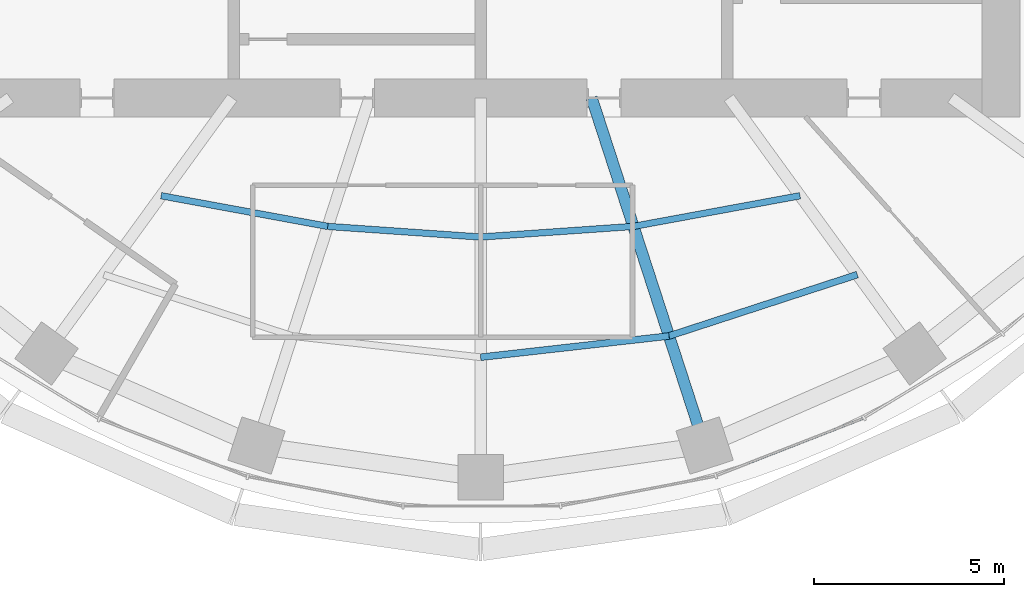
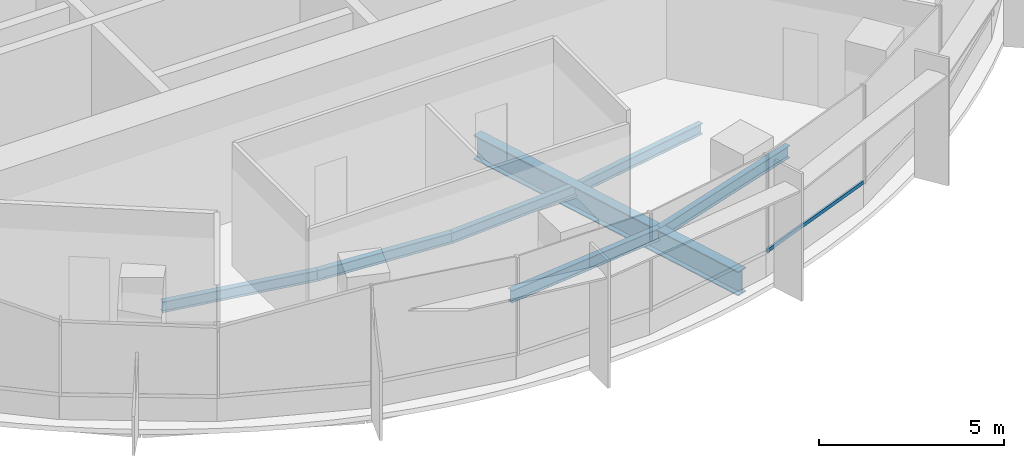
# One storey, part 3 of 13: 7 beams, 1 member, 1 element without a shape of its own.
"""IFC4 building model written with IfcOpenShell, lengths in metres."""

from ifc_helpers import new_model, si_unit, direction, frame, origin, origin_2d, place, context, subcontext, project, spatial, rectangle, i_section, extrude, material, material_profile, profile_set, type_object, element, aggregate, save


model = new_model("IFC4")

# Units and contexts
model_context = context("Model", 3, precision=1e-05, world=origin(), true_north=direction((0.0, 1.0)))
body_context = subcontext(model_context, "Body", "Model", "MODEL_VIEW")
ifc_project = project(units=[si_unit("LENGTHUNIT", "METRE"), si_unit("AREAUNIT", "SQUARE_METRE"), si_unit("VOLUMEUNIT", "CUBIC_METRE"), si_unit("PLANEANGLEUNIT", "RADIAN"), si_unit("MASSUNIT", "GRAM", prefix="KILO")], contexts=[model_context])

# Site, building, storey
site_placement = place(None, origin())
site = spatial("IfcSite", under=ifc_project, at=site_placement, CompositionType="ELEMENT")
building_placement = place(site_placement, origin())
building = spatial("IfcBuilding", under=site, at=building_placement, Name="Marramba Exchange Tower", CompositionType="ELEMENT")
storey_placement = place(building_placement, frame((0.0, 0.0, 264.39990234375)))
storey = spatial("IfcBuildingStorey", under=building, at=storey_placement, Name="L64", CompositionType="ELEMENT", Elevation=264.39990234375)

# Curtain wall, member
ifc_material_1 = material(Name="Aluminium framing, bronze anodised", Category="aluminium")
curtain_wall_type = type_object("IfcCurtainWallType", Name="Executive floor ribbon curtain wall", PredefinedType="USERDEFINED", material=ifc_material_1)
curtain_wall_placement = place(storey_placement, origin())
curtain_wall = element("IfcCurtainWall", 1, at=curtain_wall_placement, inside=storey, type_object=curtain_wall_type, Name="Curtain wall CW5 L64 F21-F25", ObjectType="RIBBON CURTAIN WALL", PredefinedType="USERDEFINED")
ifc_material_2 = material(Name="Aluminium transom, bronze anodised", Category="aluminium")
ifc_material_profile_1 = material_profile(ifc_material_2, rectangle(XDim=0.06005859375, YDim=0.1201171875, at=origin_2d()), Name="CW5 transom 60x120")
ifc_profile_set_1 = profile_set([ifc_material_profile_1], Name="Aluminium transom, bronze anodised")
member_type = type_object("IfcMemberType", Name="Executive floor ribbon curtain wall transom", PredefinedType="USERDEFINED", material=ifc_profile_set_1)
member_placement = place(storey_placement, frame((6.21826171875, -18.943603515625, 0.830078125), z_axis=(0.931790621773, 0.362996194438, 0.0), x_axis=(-0.362996194438, 0.931790621773, 0.0)))
member = element("IfcMember", 2, at=member_placement, type_object=member_type, Name="CW5 sill transom", ObjectType="TRANSOM", PredefinedType="USERDEFINED", context=body_context, shape_type="SweptSolid", body=[
    extrude(rectangle(XDim=0.06005859375, YDim=0.1201171875, at=origin_2d()), origin(), (0.0, 0.0, 1.0), 4.13427734375),
])
aggregate(curtain_wall, [member])

# Beams
ifc_material_3 = material(Name="Steel AS/NZS 3679.1 grade 300", Category="steel")
ifc_material_profile_2 = material_profile(ifc_material_3, i_section(OverallWidth=0.1708984375, OverallDepth=0.35595703125, WebThickness=0.00732421875, FlangeThickness=0.011474609375, FilletRadius=0.011474609375, at=origin_2d()), Name="360UB50.7")
ifc_profile_set_2 = profile_set([ifc_material_profile_2], Name="Steel AS/NZS 3679.1 grade 300")
beam_type_1 = type_object("IfcBeamType", Name="Floor joist 360UB50.7", PredefinedType="JOIST", material=ifc_profile_set_2)
beam_1_placement = place(storey_placement, frame((-8.41162109375, -11.57763671875, -0.337890625), z_axis=(0.983455754421, -0.181148500119, 0.0), x_axis=(0.181148500119, 0.983455754421, 0.0)))
element("IfcBeam", 3, at=beam_1_placement, inside=storey, type_object=beam_type_1, Name="Joist L64 bay 14 row 1", PredefinedType="JOIST", context=body_context, shape_type="SweptSolid", body=[
    extrude(i_section(OverallWidth=0.1708984375, OverallDepth=0.35595703125, WebThickness=0.00732421875, FlangeThickness=0.011474609375, FilletRadius=0.011474609375, at=origin_2d()), origin(), (0.0, 0.0, 1.0), 4.4609375),
])
for number, where, z_axis, x_axis, name in (
    (4, (-4.0244140625, -12.3857421875, -0.337890625), (0.99759625901, -0.069294328838, 0.0), (0.069294328838, 0.99759625901, 0.0), "Joist L64 bay 15 row 1"),
    (5, (0.0, -12.665283203125, -0.337890625), (0.99759625901, 0.069294328838, 0.0), (-0.069294328838, 0.99759625901, 0.0), "Joist L64 bay 16 row 1"),
):
    element("IfcBeam", number, at=place(storey_placement, frame(where, z_axis=z_axis, x_axis=x_axis)), inside=storey, type_object=beam_type_1, Name=name, PredefinedType="JOIST", context=body_context, shape_type="SweptSolid", body=[
        extrude(i_section(OverallWidth=0.1708984375, OverallDepth=0.35595703125, WebThickness=0.00732421875, FlangeThickness=0.011474609375, FilletRadius=0.011474609375, at=origin_2d()), origin(), (0.0, 0.0, 1.0), 4.0341796875),
    ])
beam_2_placement = place(storey_placement, frame((4.0244140625, -12.3857421875, -0.337890625), z_axis=(0.983455754421, 0.181148500119, 0.0), x_axis=(-0.181148500119, 0.983455754421, 0.0)))
element("IfcBeam", 6, at=beam_2_placement, inside=storey, type_object=beam_type_1, Name="Joist L64 bay 17 row 1", PredefinedType="JOIST", context=body_context, shape_type="SweptSolid", body=[
    extrude(i_section(OverallWidth=0.1708984375, OverallDepth=0.35595703125, WebThickness=0.00732421875, FlangeThickness=0.011474609375, FilletRadius=0.011474609375, at=origin_2d()), origin(), (0.0, 0.0, 1.0), 4.4609375),
])
ifc_material_profile_3 = material_profile(ifc_material_3, i_section(OverallWidth=0.177978515625, OverallDepth=0.403076171875, WebThickness=0.007568359375, FlangeThickness=0.010986328125, FilletRadius=0.011474609375, at=origin_2d()), Name="410UB53.7")
ifc_profile_set_3 = profile_set([ifc_material_profile_3], Name="Steel AS/NZS 3679.1 grade 300")
beam_type_2 = type_object("IfcBeamType", Name="Floor joist 410UB53.7", PredefinedType="JOIST", material=ifc_profile_set_3)
beam_3_placement = place(storey_placement, frame((0.0, -15.83056640625, -0.361328125), z_axis=(0.993712018573, 0.111966174106, 0.0), x_axis=(-0.111966174106, 0.993712018573, 0.0)))
element("IfcBeam", 7, at=beam_3_placement, inside=storey, type_object=beam_type_2, Name="Joist L64 bay 16 row 2", PredefinedType="JOIST", context=body_context, shape_type="SweptSolid", body=[
    extrude(i_section(OverallWidth=0.177978515625, OverallDepth=0.403076171875, WebThickness=0.007568359375, FlangeThickness=0.010986328125, FilletRadius=0.011474609375, at=origin_2d()), origin(), (0.0, 0.0, 1.0), 4.993408203125),
])
beam_4_placement = place(storey_placement, frame((4.9619140625, -15.271484375, -0.361328125), z_axis=(0.950764024931, 0.309915744834, 0.0), x_axis=(-0.309915744834, 0.950764024931, 0.0)))
element("IfcBeam", 8, at=beam_4_placement, inside=storey, type_object=beam_type_2, Name="Joist L64 bay 17 row 2", PredefinedType="JOIST", context=body_context, shape_type="SweptSolid", body=[
    extrude(i_section(OverallWidth=0.177978515625, OverallDepth=0.403076171875, WebThickness=0.007568359375, FlangeThickness=0.010986328125, FilletRadius=0.011474609375, at=origin_2d()), origin(), (0.0, 0.0, 1.0), 5.2158203125),
])
ifc_material_4 = material(Name="Steel AS/NZS 3679.2 grade 300", Category="steel")
ifc_material_profile_4 = material_profile(ifc_material_4, i_section(OverallWidth=0.300048828125, OverallDepth=0.800048828125, WebThickness=0.013916015625, FlangeThickness=0.031982421875, at=origin_2d()), Name="800WB192")
ifc_profile_set_4 = profile_set([ifc_material_profile_4], Name="Steel AS/NZS 3679.2 grade 300")
beam_type_3 = type_object("IfcBeamType", Name="Radial girder 800WB192", PredefinedType="BEAM", material=ifc_profile_set_4)
beam_5_placement = place(storey_placement, frame((2.92431640625, -9.0, -0.559814453125), z_axis=(0.309022428985, -0.951054750466, 0.0), x_axis=(0.951054750466, 0.309022428985, 0.0)))
element("IfcBeam", 9, at=beam_5_placement, inside=storey, type_object=beam_type_3, Name="Radial girder L64 TC17", PredefinedType="BEAM", context=body_context, shape_type="SweptSolid", body=[
    extrude(i_section(OverallWidth=0.300048828125, OverallDepth=0.800048828125, WebThickness=0.013916015625, FlangeThickness=0.031982421875, at=origin_2d()), origin(), (0.0, 0.0, 1.0), 9.628173828125),
])

save(model, "model.ifc")
